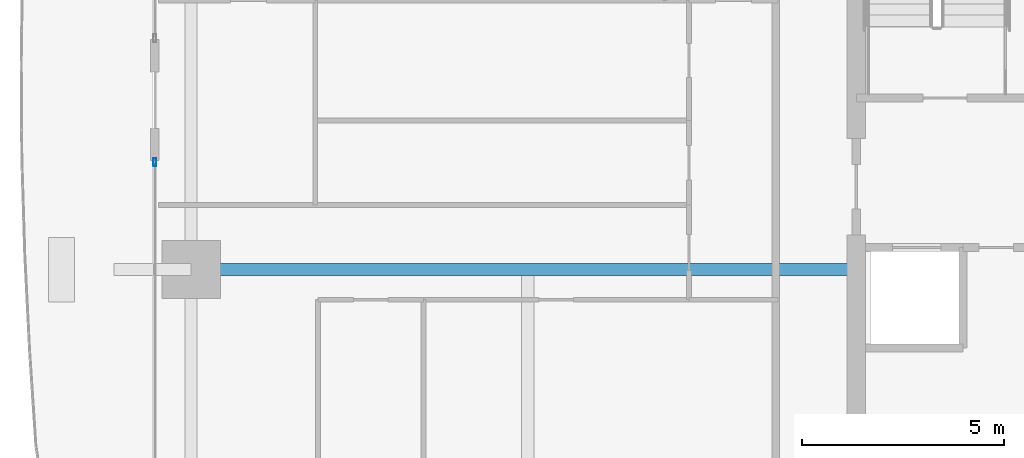
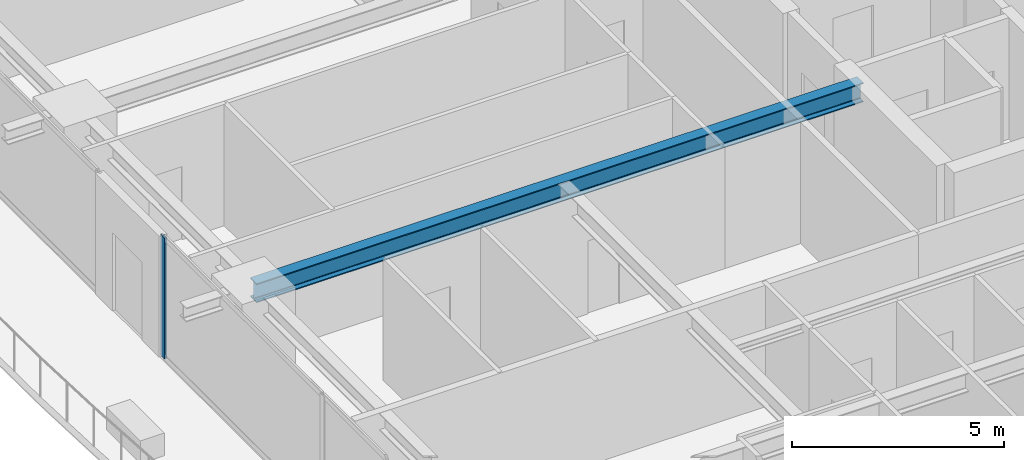
# One storey, part 8 of 40: 1 beam, 1 member, 1 element without a shape of its own.
"""IFC4 building model written with IfcOpenShell, lengths in metres."""

from ifc_helpers import new_model, si_unit, direction, frame, origin, origin_2d, place, context, subcontext, project, spatial, hollow_rectangle, i_section, extrude, source, transform, mapped, material, layer, layer_set, material_profile, profile_set, type_object, element, aggregate, save


model = new_model("IFC4")

# Units and contexts
model_context = context("Model", 3, precision=1e-05, world=origin(), true_north=direction((0.0, 1.0)))
body_context = subcontext(model_context, "Body", "Model", "MODEL_VIEW")
ifc_project = project(units=[si_unit("LENGTHUNIT", "METRE"), si_unit("AREAUNIT", "SQUARE_METRE"), si_unit("VOLUMEUNIT", "CUBIC_METRE"), si_unit("PLANEANGLEUNIT", "RADIAN"), si_unit("MASSUNIT", "GRAM", prefix="KILO")], contexts=[model_context])

# Site, building, storey
site_placement = place(None, origin())
site = spatial("IfcSite", under=ifc_project, at=site_placement, CompositionType="ELEMENT")
building_placement = place(site_placement, origin())
building = spatial("IfcBuilding", under=site, at=building_placement, Name="Serunith Strait Residences", CompositionType="ELEMENT")
storey_placement = place(building_placement, frame((0.0, 0.0, 90.449951171875)))
storey = spatial("IfcBuildingStorey", under=building, at=storey_placement, Name="L22", CompositionType="ELEMENT", Elevation=90.449951171875)

# Beam
ifc_material_1 = material(Name="Steel S355J2", Category="steel")
ifc_material_profile_1 = material_profile(ifc_material_1, i_section(OverallWidth=0.300048828125, OverallDepth=0.550048828125, WebThickness=0.014892578125, FlangeThickness=0.029052734375, FilletRadius=0.027099609375, at=origin_2d()), Name="HEB 550")
ifc_profile_set_1 = profile_set([ifc_material_profile_1], Name="Steel S355J2")
beam_type = type_object("IfcBeamType", Name="BM-HEB550", PredefinedType="BEAM", material=ifc_profile_set_1)
shared_shape_1 = source(origin(), body_context, "Body", "SweptSolid", [
    extrude(i_section(OverallWidth=0.300048828125, OverallDepth=0.550048828125, WebThickness=0.014892578125, FlangeThickness=0.029052734375, FilletRadius=0.027099609375, at=origin_2d()), origin(), (0.0, 0.0, 1.0), 16.5),
])
beam_placement = place(storey_placement, frame((23.39990234375, 21.0, 3.212158203125), z_axis=(-1.0, 0.0, 0.0), x_axis=(0.0, -1.0, 0.0)))
element("IfcBeam", 1, at=beam_placement, inside=storey, type_object=beam_type, Name="L22 Primary Floor Girder TC-W2", PredefinedType="BEAM", context=body_context, shape_type="MappedRepresentation", body=[
    mapped(shared_shape_1, transform((0.0, 0.0, 0.0), scale=1.0)),
])

# Curtain wall, member
ifc_material_2 = material(Name="Pale-Champagne Anodised Aluminium", Category="aluminium")
ifc_layer = layer(ifc_material_2, 0.199951171875, Name="Pale-Champagne Anodised Aluminium")
ifc_layer_set = layer_set([ifc_layer], Name="Pale-Champagne Anodised Aluminium")
curtain_wall_type = type_object("IfcCurtainWallType", Name="CW-SYS1", PredefinedType="NOTDEFINED", material=ifc_layer_set)
curtain_wall_placement = place(storey_placement, origin())
curtain_wall = element("IfcCurtainWall", 2, at=curtain_wall_placement, inside=storey, type_object=curtain_wall_type, Name="L22 W Unitised Fritted Curtain Wall", PredefinedType="NOTDEFINED")
ifc_material_profile_2 = material_profile(ifc_material_2, hollow_rectangle(XDim=0.070068359375, YDim=0.199951171875, WallThickness=0.00390625, InnerFilletRadius=0.006103515625, OuterFilletRadius=0.010009765625, at=origin_2d()), Name="ALU 200x70x4")
ifc_profile_set_2 = profile_set([ifc_material_profile_2], Name="Pale-Champagne Anodised Aluminium")
member_type = type_object("IfcMemberType", Name="CW-SYS1-MULL", PredefinedType="MULLION", material=ifc_profile_set_2)
shared_shape_2 = source(origin(), body_context, "Body", "SweptSolid", [
    extrude(hollow_rectangle(XDim=0.070068359375, YDim=0.199951171875, WallThickness=0.00390625, InnerFilletRadius=0.006103515625, OuterFilletRadius=0.010009765625, at=origin_2d()), origin(), (0.0, 0.0, 1.0), 3.47509765625),
])
member_placement = place(storey_placement, frame((6.0, 23.6650390625, 0.0), z_axis=(0.0, 0.0, 1.0), x_axis=(1.0, 0.0, 0.0)))
member = element("IfcMember", 3, at=member_placement, type_object=member_type, Name="CW-1 mullion 1", PredefinedType="MULLION", context=body_context, shape_type="MappedRepresentation", body=[
    mapped(shared_shape_2, transform((0.0, 0.0, 0.0), scale=1.0)),
])
aggregate(curtain_wall, [member])

save(model, "model.ifc")
